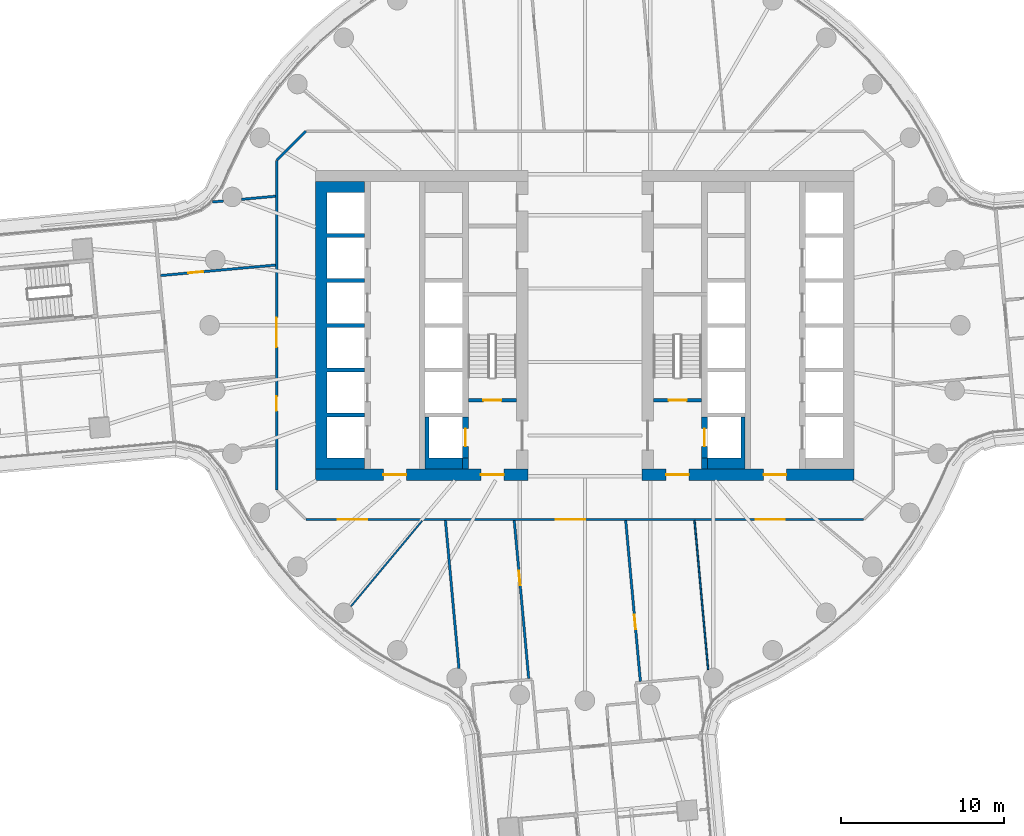
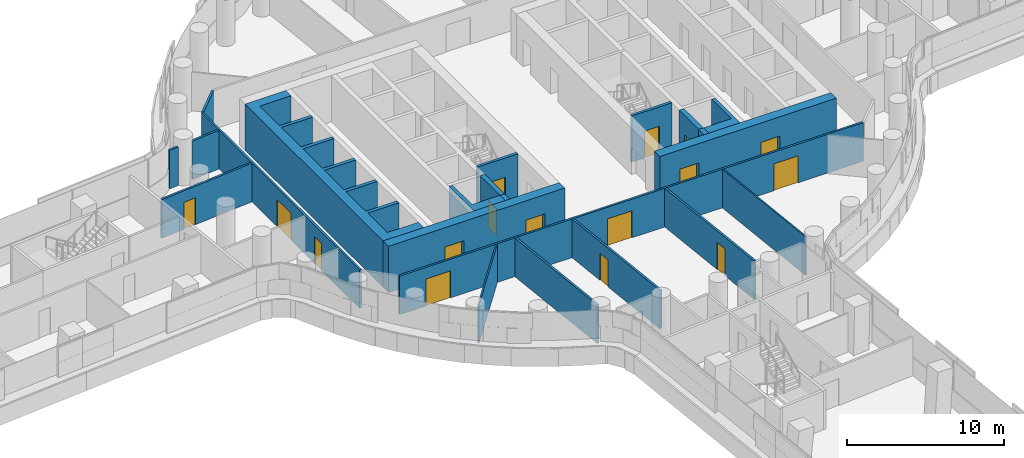
# One storey, part 20 of 31: 22 walls, 16 doors, 16 openings.
"""IFC4 building model written with IfcOpenShell, lengths in metres."""

from ifc_helpers import new_model, si_unit, direction, frame, frame_2d, origin, place, context, subcontext, project, spatial, polyline, rectangle, outline, extrude, material, layer, layer_set, type_object, element, fill, save


model = new_model("IFC4")

# Units and contexts
model_context = context("Model", 3, precision=1e-05, world=origin(), true_north=direction((0.0, 1.0)))
body_context = subcontext(model_context, "Body", "Model", "MODEL_VIEW")
ifc_project = project(units=[si_unit("LENGTHUNIT", "METRE"), si_unit("AREAUNIT", "SQUARE_METRE"), si_unit("VOLUMEUNIT", "CUBIC_METRE"), si_unit("PLANEANGLEUNIT", "RADIAN"), si_unit("MASSUNIT", "GRAM", prefix="KILO")], contexts=[model_context])

# Site, building, storey
site_placement = place(None, origin())
site = spatial("IfcSite", under=ifc_project, at=site_placement, CompositionType="ELEMENT")
building_placement = place(site_placement, origin())
building = spatial("IfcBuilding", under=site, at=building_placement, Name="Tamarind Cross Interchange Tower", CompositionType="ELEMENT")
storey_placement = place(building_placement, frame((0.0, 0.0, 52.75)))
storey = spatial("IfcBuildingStorey", under=building, at=storey_placement, Name="L11", CompositionType="ELEMENT", Elevation=52.75)

# Wall, openings, doors
ifc_material_1 = material(Name="Concrete C80", Category="concrete")
ifc_layer_1 = layer(ifc_material_1, 0.699951171875)
ifc_layer_set_1 = layer_set([ifc_layer_1], Name="Concrete C80")
wall_type_1 = type_object("IfcWallType", Name="Core wall 700 mm Concrete C80", PredefinedType="SHEAR", material=ifc_layer_set_1)
wall_1_placement = place(storey_placement, frame((-16.5, -9.14990234375, 0.0), z_axis=(0.0, 0.0, 1.0), x_axis=(1.0, 0.0, 0.0)))
wall_1 = element("IfcWall", 1, at=wall_1_placement, inside=storey, type_object=wall_type_1, Name="Core wall CWL-L11-W-S", PredefinedType="SHEAR", context=body_context, shape_type="SweptSolid", body=[
    extrude(rectangle(XDim=13.0, YDim=0.699951171875, at=frame_2d((6.5, 0.0))), origin(), (0.0, 0.0, 1.0), 3.610107421875),
])
opening_1_placement = place(wall_1_placement, frame((4.14990234375, 0.0, 0.0)))
opening_1 = element("IfcOpeningElement", 2, at=opening_1_placement, cuts=wall_1, Name="Opening DCW1", PredefinedType="OPENING", context=body_context, shape_type="SweptSolid", body=[
    extrude(rectangle(XDim=1.39990234375, YDim=2.10009765625, at=frame_2d((0.699951171875, 1.050048828125))), frame((0.0, 0.35986328125, 0.0), z_axis=(0.0, -1.0, 0.0), x_axis=(1.0, 0.0, 0.0)), (0.0, 0.0, 1.0), 0.719970703125),
])
opening_2_placement = place(wall_1_placement, frame((10.125, 0.0, 0.0)))
opening_2 = element("IfcOpeningElement", 3, at=opening_2_placement, cuts=wall_1, Name="Opening DCWF", PredefinedType="OPENING", context=body_context, shape_type="SweptSolid", body=[
    extrude(rectangle(XDim=1.39990234375, YDim=2.10009765625, at=frame_2d((0.699951171875, 1.050048828125))), frame((0.0, 0.35986328125, 0.0), z_axis=(0.0, -1.0, 0.0), x_axis=(1.0, 0.0, 0.0)), (0.0, 0.0, 1.0), 0.719970703125),
])
ifc_material_2 = material(Name="Steel, fire-resisting", Category="steel")
door_type_1 = type_object("IfcDoorType", Name="Core fire door 1400 x 2100 FD90", OperationType="SINGLE_SWING_LEFT", PredefinedType="DOOR", material=ifc_material_2)
door_1_placement = place(opening_1_placement, origin())
door_1 = element("IfcDoor", 4, at=door_1_placement, inside=storey, type_object=door_type_1, Name="L11 lift lobby door", OperationType="SINGLE_SWING_LEFT", OverallHeight=2.10009765625, OverallWidth=1.39990234375, PredefinedType="DOOR", context=body_context, shape_type="SweptSolid", body=[
    extrude(rectangle(XDim=1.39990234375, YDim=2.10009765625, at=frame_2d((0.699951171875, 1.050048828125))), frame((0.0, 0.02490234375, 0.0), z_axis=(0.0, -1.0, 0.0), x_axis=(1.0, 0.0, 0.0)), (0.0, 0.0, 1.0), 0.050048828125),
])
fill(opening_1, door_1)
door_2_placement = place(opening_2_placement, origin())
door_2 = element("IfcDoor", 5, at=door_2_placement, inside=storey, type_object=door_type_1, Name="L11 firefighting lobby end door", OperationType="SINGLE_SWING_LEFT", OverallHeight=2.10009765625, OverallWidth=1.39990234375, PredefinedType="DOOR", context=body_context, shape_type="SweptSolid", body=[
    extrude(rectangle(XDim=1.39990234375, YDim=2.10009765625, at=frame_2d((0.699951171875, 1.050048828125))), frame((0.0, 0.02490234375, 0.0), z_axis=(0.0, -1.0, 0.0), x_axis=(1.0, 0.0, 0.0)), (0.0, 0.0, 1.0), 0.050048828125),
])
fill(opening_2, door_2)

# Wall
wall_2_placement = place(storey_placement, origin())
element("IfcWall", 6, at=wall_2_placement, inside=storey, type_object=wall_type_1, Name="Core wall CWL-L11-W-A", PredefinedType="SHEAR", context=body_context, shape_type="SweptSolid", body=[
    extrude(outline(polyline([(-13.5, -8.800048828125), (-13.5, -8.125), (-15.800048828125, -8.125), (-15.800048828125, -5.625), (-13.5, -5.625), (-13.5, -5.375), (-15.800048828125, -5.375), (-15.800048828125, -2.875), (-13.5, -2.875), (-13.5, -2.625), (-15.800048828125, -2.625), (-15.800048828125, -0.125), (-13.5, -0.125), (-13.5, 0.125), (-15.800048828125, 0.125), (-15.800048828125, 2.625), (-13.5, 2.625), (-13.5, 2.875), (-15.800048828125, 2.875), (-15.800048828125, 5.375), (-13.5, 5.375), (-13.5, 5.625), (-15.800048828125, 5.625), (-15.800048828125, 8.125), (-13.5, 8.125), (-13.5, 8.800048828125), (-15.800048828125, 8.800048828125), (-16.5, 8.800048828125), (-16.5, -8.800048828125), (-15.800048828125, -8.800048828125), (-13.5, -8.800048828125)])), origin(), (0.0, 0.0, 1.0), 3.610107421875),
])

# Wall, openings, doors
wall_3_placement = place(storey_placement, frame((16.5, -9.14990234375, 0.0), z_axis=(0.0, 0.0, 1.0), x_axis=(-1.0, 0.0, 0.0)))
wall_3 = element("IfcWall", 7, at=wall_3_placement, inside=storey, type_object=wall_type_1, Name="Core wall CWL-L11-E-S", PredefinedType="SHEAR", context=body_context, shape_type="SweptSolid", body=[
    extrude(rectangle(XDim=13.0, YDim=0.699951171875, at=frame_2d((6.5, 0.0))), origin(), (0.0, 0.0, 1.0), 3.610107421875),
])
opening_3_placement = place(wall_3_placement, frame((4.14990234375, 0.0, 0.0)))
opening_3 = element("IfcOpeningElement", 8, at=opening_3_placement, cuts=wall_3, Name="Opening DCE1", PredefinedType="OPENING", context=body_context, shape_type="SweptSolid", body=[
    extrude(rectangle(XDim=1.39990234375, YDim=2.10009765625, at=frame_2d((0.699951171875, 1.050048828125))), frame((0.0, 0.35986328125, 0.0), z_axis=(0.0, -1.0, 0.0), x_axis=(1.0, 0.0, 0.0)), (0.0, 0.0, 1.0), 0.719970703125),
])
opening_4_placement = place(wall_3_placement, frame((10.125, 0.0, 0.0)))
opening_4 = element("IfcOpeningElement", 9, at=opening_4_placement, cuts=wall_3, Name="Opening DCEF", PredefinedType="OPENING", context=body_context, shape_type="SweptSolid", body=[
    extrude(rectangle(XDim=1.39990234375, YDim=2.10009765625, at=frame_2d((0.699951171875, 1.050048828125))), frame((0.0, 0.35986328125, 0.0), z_axis=(0.0, -1.0, 0.0), x_axis=(1.0, 0.0, 0.0)), (0.0, 0.0, 1.0), 0.719970703125),
])
door_3_placement = place(opening_3_placement, origin())
door_3 = element("IfcDoor", 10, at=door_3_placement, inside=storey, type_object=door_type_1, Name="L11 lift lobby door", OperationType="SINGLE_SWING_LEFT", OverallHeight=2.10009765625, OverallWidth=1.39990234375, PredefinedType="DOOR", context=body_context, shape_type="SweptSolid", body=[
    extrude(rectangle(XDim=1.39990234375, YDim=2.10009765625, at=frame_2d((0.699951171875, 1.050048828125))), frame((0.0, 0.02490234375, 0.0), z_axis=(0.0, -1.0, 0.0), x_axis=(1.0, 0.0, 0.0)), (0.0, 0.0, 1.0), 0.050048828125),
])
fill(opening_3, door_3)
door_4_placement = place(opening_4_placement, origin())
door_4 = element("IfcDoor", 11, at=door_4_placement, inside=storey, type_object=door_type_1, Name="L11 firefighting lobby end door", OperationType="SINGLE_SWING_LEFT", OverallHeight=2.10009765625, OverallWidth=1.39990234375, PredefinedType="DOOR", context=body_context, shape_type="SweptSolid", body=[
    extrude(rectangle(XDim=1.39990234375, YDim=2.10009765625, at=frame_2d((0.699951171875, 1.050048828125))), frame((0.0, 0.02490234375, 0.0), z_axis=(0.0, -1.0, 0.0), x_axis=(1.0, 0.0, 0.0)), (0.0, 0.0, 1.0), 0.050048828125),
])
fill(opening_4, door_4)

# Walls
ifc_layer_2 = layer(ifc_material_1, 0.35009765625)
ifc_layer_set_2 = layer_set([ifc_layer_2], Name="Concrete C80")
wall_type_2 = type_object("IfcWallType", Name="Core web wall 350 mm Concrete C80", PredefinedType="SHEAR", material=ifc_layer_set_2)
wall_4_placement = place(storey_placement, origin())
element("IfcWall", 12, at=wall_4_placement, inside=storey, type_object=wall_type_2, Name="Core wall CWL-L11-W-BS", PredefinedType="SHEAR", context=body_context, shape_type="SweptSolid", body=[
    extrude(outline(polyline([(-7.5, -8.125), (-9.550048828125, -8.125), (-9.550048828125, -5.625), (-9.800048828125, -5.625), (-9.800048828125, -8.125), (-9.800048828125, -8.800048828125), (-7.5, -8.800048828125), (-7.5, -8.125)])), origin(), (0.0, 0.0, 1.0), 3.610107421875),
])
wall_5_placement = place(storey_placement, frame((-7.324951171875, -8.800048828125, 0.0), z_axis=(0.0, 0.0, 1.0), x_axis=(0.0, 1.0, 0.0)))
element("IfcWall", 13, at=wall_5_placement, inside=storey, type_object=wall_type_2, Name="Core wall CWL-L11-W-BW", PredefinedType="SHEAR", context=body_context, shape_type="SweptSolid", body=[
    extrude(rectangle(XDim=0.675048828125, YDim=0.35009765625, at=frame_2d((0.33740234375, 0.0))), origin(), (0.0, 0.0, 1.0), 3.610107421875),
])

# Wall, opening, door
wall_6_placement = place(storey_placement, frame((-7.324951171875, -8.125, 0.0), z_axis=(0.0, 0.0, 1.0), x_axis=(0.0, 1.0, 0.0)))
wall_6 = element("IfcWall", 14, at=wall_6_placement, inside=storey, type_object=wall_type_2, Name="Core wall CWL-L11-W-FF", PredefinedType="SHEAR", context=body_context, shape_type="SweptSolid", body=[
    extrude(rectangle(XDim=2.5, YDim=0.35009765625, at=frame_2d((1.25, 0.0))), origin(), (0.0, 0.0, 1.0), 3.610107421875),
])
opening_5_placement = place(wall_6_placement, frame((0.699951171875, 0.0, 0.0)))
opening_5 = element("IfcOpeningElement", 15, at=opening_5_placement, cuts=wall_6, Name="Opening LD7L11", PredefinedType="OPENING", context=body_context, shape_type="SweptSolid", body=[
    extrude(rectangle(XDim=1.10009765625, YDim=2.10009765625, at=frame_2d((0.550048828125, 1.050048828125))), frame((0.0, 0.18505859375, 0.0), z_axis=(0.0, -1.0, 0.0), x_axis=(1.0, 0.0, 0.0)), (0.0, 0.0, 1.0), 0.3701171875),
])
ifc_material_3 = material(Name="Stainless steel panel", Category="steel")
door_type_2 = type_object("IfcDoorType", Name="Lift landing door 1100 x 2100 E 120", OperationType="SLIDING_TO_LEFT", PredefinedType="DOOR", material=ifc_material_3)
door_5_placement = place(opening_5_placement, origin())
door_5 = element("IfcDoor", 16, at=door_5_placement, inside=storey, type_object=door_type_2, Name="L11 landing door LF7", OperationType="SLIDING_TO_LEFT", OverallHeight=2.10009765625, OverallWidth=1.10009765625, PredefinedType="DOOR", context=body_context, shape_type="SweptSolid", body=[
    extrude(rectangle(XDim=1.10009765625, YDim=2.10009765625, at=frame_2d((0.550048828125, 1.050048828125))), frame((0.0, 0.02490234375, 0.0), z_axis=(0.0, -1.0, 0.0), x_axis=(1.0, 0.0, 0.0)), (0.0, 0.0, 1.0), 0.050048828125),
])
fill(opening_5, door_5)

# Walls
wall_7_placement = place(storey_placement, origin())
element("IfcWall", 17, at=wall_7_placement, inside=storey, type_object=wall_type_2, Name="Core wall CWL-L11-E-BS", PredefinedType="SHEAR", context=body_context, shape_type="SweptSolid", body=[
    extrude(outline(polyline([(7.5, -8.125), (7.5, -8.800048828125), (9.800048828125, -8.800048828125), (9.800048828125, -8.125), (9.800048828125, -5.625), (9.550048828125, -5.625), (9.550048828125, -8.125), (7.5, -8.125)])), origin(), (0.0, 0.0, 1.0), 3.610107421875),
])
wall_8_placement = place(storey_placement, frame((7.324951171875, -8.800048828125, 0.0), z_axis=(0.0, 0.0, 1.0), x_axis=(0.0, 1.0, 0.0)))
element("IfcWall", 18, at=wall_8_placement, inside=storey, type_object=wall_type_2, Name="Core wall CWL-L11-E-BW", PredefinedType="SHEAR", context=body_context, shape_type="SweptSolid", body=[
    extrude(rectangle(XDim=0.675048828125, YDim=0.35009765625, at=frame_2d((0.33740234375, 0.0))), origin(), (0.0, 0.0, 1.0), 3.610107421875),
])

# Wall, opening, door
wall_9_placement = place(storey_placement, frame((7.324951171875, -8.125, 0.0), z_axis=(0.0, 0.0, 1.0), x_axis=(0.0, 1.0, 0.0)))
wall_9 = element("IfcWall", 19, at=wall_9_placement, inside=storey, type_object=wall_type_2, Name="Core wall CWL-L11-E-FF", PredefinedType="SHEAR", context=body_context, shape_type="SweptSolid", body=[
    extrude(rectangle(XDim=2.5, YDim=0.35009765625, at=frame_2d((1.25, 0.0))), origin(), (0.0, 0.0, 1.0), 3.610107421875),
])
opening_6_placement = place(wall_9_placement, frame((0.699951171875, 0.0, 0.0)))
opening_6 = element("IfcOpeningElement", 20, at=opening_6_placement, cuts=wall_9, Name="Opening LD19L11", PredefinedType="OPENING", context=body_context, shape_type="SweptSolid", body=[
    extrude(rectangle(XDim=1.10009765625, YDim=2.10009765625, at=frame_2d((0.550048828125, 1.050048828125))), frame((0.0, 0.18505859375, 0.0), z_axis=(0.0, -1.0, 0.0), x_axis=(1.0, 0.0, 0.0)), (0.0, 0.0, 1.0), 0.3701171875),
])
door_6_placement = place(opening_6_placement, origin())
door_6 = element("IfcDoor", 21, at=door_6_placement, inside=storey, type_object=door_type_2, Name="L11 landing door LF19", OperationType="SLIDING_TO_LEFT", OverallHeight=2.10009765625, OverallWidth=1.10009765625, PredefinedType="DOOR", context=body_context, shape_type="SweptSolid", body=[
    extrude(rectangle(XDim=1.10009765625, YDim=2.10009765625, at=frame_2d((0.550048828125, 1.050048828125))), frame((0.0, 0.02490234375, 0.0), z_axis=(0.0, -1.0, 0.0), x_axis=(1.0, 0.0, 0.0)), (0.0, 0.0, 1.0), 0.050048828125),
])
fill(opening_6, door_6)

# Walls
ifc_material_4 = material(Name="Gypsum board partition on steel studs", Category="steel")
ifc_layer_3 = layer(ifc_material_4, 0.10009765625)
ifc_layer_set_3 = layer_set([ifc_layer_3], Name="Gypsum board partition on steel studs")
wall_type_3 = type_object("IfcWallType", Name="Partition 100 mm EI 90", PredefinedType="PARTITIONING", material=ifc_layer_set_3)
wall_10_placement = place(storey_placement, frame((6.71337890625, -11.959716796875, 0.0), z_axis=(0.0, 0.0, 1.0), x_axis=(0.091135520653, -0.995838499394, 0.0)))
element("IfcWall", 22, at=wall_10_placement, inside=storey, type_object=wall_type_3, Name="Partition L11-021", PredefinedType="PARTITIONING", context=body_context, shape_type="SweptSolid", body=[
    extrude(rectangle(XDim=9.175048828125, YDim=0.10009765625, at=frame_2d((4.58740234375, 0.0))), origin(), (0.0, 0.0, 1.0), 3.010009765625),
])
wall_11_placement = place(storey_placement, frame((-14.341552734375, -17.228515625, 0.0), z_axis=(0.0, 0.0, 1.0), x_axis=(0.639768706711, 0.768567499907, 0.0)))
element("IfcWall", 23, at=wall_11_placement, inside=storey, type_object=wall_type_3, Name="Partition L11-073", PredefinedType="PARTITIONING", context=body_context, shape_type="SweptSolid", body=[
    extrude(rectangle(XDim=6.818115234375, YDim=0.10009765625, at=frame_2d((3.4091796875, 0.0))), origin(), (0.0, 0.0, 1.0), 3.010009765625),
])
ifc_layer_4 = layer(ifc_material_4, 0.14990234375)
ifc_layer_set_4 = layer_set([ifc_layer_4], Name="Gypsum board partition on steel studs")
wall_type_4 = type_object("IfcWallType", Name="Partition 150 mm EI 120", PredefinedType="PARTITIONING", material=ifc_layer_set_4)
wall_12_placement = place(storey_placement, frame((-8.549072265625, -11.964599609375, 0.0), z_axis=(0.0, 0.0, 1.0), x_axis=(0.091086304245, -0.995843002274, 0.0)))
element("IfcWall", 24, at=wall_12_placement, inside=storey, type_object=wall_type_4, Name="Partition L11-006", PredefinedType="PARTITIONING", context=body_context, shape_type="SweptSolid", body=[
    extrude(rectangle(XDim=9.11572265625, YDim=0.14990234375, at=frame_2d((4.557861328125, 0.0))), origin(), (0.0, 0.0, 1.0), 3.010009765625),
])

# Wall, opening, door
wall_13_placement = place(storey_placement, frame((-4.33203125, -11.964599609375, 0.0), z_axis=(0.0, 0.0, 1.0), x_axis=(0.091142776654, -0.995837835325, 0.0)))
wall_13 = element("IfcWall", 25, at=wall_13_placement, inside=storey, type_object=wall_type_4, Name="Partition L11-009", PredefinedType="PARTITIONING", context=body_context, shape_type="SweptSolid", body=[
    extrude(rectangle(XDim=9.71826171875, YDim=0.14990234375, at=frame_2d((4.859130859375, 0.0))), origin(), (0.0, 0.0, 1.0), 3.010009765625),
])
opening_7_placement = place(wall_13_placement, frame((3.0849609375, 0.0, 0.0)))
opening_7 = element("IfcOpeningElement", 26, at=opening_7_placement, cuts=wall_13, Name="Opening D03", PredefinedType="OPENING", context=body_context, shape_type="SweptSolid", body=[
    extrude(rectangle(XDim=0.89990234375, YDim=2.10009765625, at=frame_2d((0.449951171875, 1.050048828125))), frame((0.0, 0.0849609375, 0.0), z_axis=(0.0, -1.0, 0.0), x_axis=(1.0, 0.0, 0.0)), (0.0, 0.0, 1.0), 0.169921875),
])
ifc_material_5 = material(Name="Fire-resisting door set")
door_type_3 = type_object("IfcDoorType", Name="Interior door 900 x 2100 FD60S", OperationType="SINGLE_SWING_LEFT", PredefinedType="DOOR", material=ifc_material_5)
door_7_placement = place(opening_7_placement, frame((0.89990234375, 0.0, 0.0), z_axis=(0.0, 0.0, 1.0), x_axis=(-1.0, 0.0, 0.0)))
door_7 = element("IfcDoor", 27, at=door_7_placement, inside=storey, type_object=door_type_3, Name="Door D03", OperationType="SINGLE_SWING_LEFT", OverallHeight=2.10009765625, OverallWidth=0.89990234375, PredefinedType="DOOR", context=body_context, shape_type="SweptSolid", body=[
    extrude(rectangle(XDim=0.89990234375, YDim=2.10009765625, at=frame_2d((0.449951171875, 1.050048828125))), frame((0.0, 0.02490234375, 0.0), z_axis=(0.0, -1.0, 0.0), x_axis=(1.0, 0.0, 0.0)), (0.0, 0.0, 1.0), 0.050048828125),
])
fill(opening_7, door_7)

wall_14_placement = place(storey_placement, frame((2.496826171875, -11.964599609375, 0.0), z_axis=(0.0, 0.0, 1.0), x_axis=(0.091027288031, -0.995848398519, 0.0)))
wall_14 = element("IfcWall", 28, at=wall_14_placement, inside=storey, type_object=wall_type_4, Name="Partition L11-018", PredefinedType="PARTITIONING", context=body_context, shape_type="SweptSolid", body=[
    extrude(rectangle(XDim=9.896728515625, YDim=0.14990234375, at=frame_2d((4.9482421875, 0.0))), origin(), (0.0, 0.0, 1.0), 3.010009765625),
])
opening_8_placement = place(wall_14_placement, frame((5.784912109375, 0.0, 0.0)))
opening_8 = element("IfcOpeningElement", 29, at=opening_8_placement, cuts=wall_14, Name="Opening D13", PredefinedType="OPENING", context=body_context, shape_type="SweptSolid", body=[
    extrude(rectangle(XDim=0.89990234375, YDim=2.10009765625, at=frame_2d((0.449951171875, 1.050048828125))), frame((0.0, 0.0849609375, 0.0), z_axis=(0.0, -1.0, 0.0), x_axis=(1.0, 0.0, 0.0)), (0.0, 0.0, 1.0), 0.169921875),
])
door_8_placement = place(opening_8_placement, origin())
door_8 = element("IfcDoor", 30, at=door_8_placement, inside=storey, type_object=door_type_3, Name="Door D13", OperationType="SINGLE_SWING_LEFT", OverallHeight=2.10009765625, OverallWidth=0.89990234375, PredefinedType="DOOR", context=body_context, shape_type="SweptSolid", body=[
    extrude(rectangle(XDim=0.89990234375, YDim=2.10009765625, at=frame_2d((0.449951171875, 1.050048828125))), frame((0.0, 0.02490234375, 0.0), z_axis=(0.0, -1.0, 0.0), x_axis=(1.0, 0.0, 0.0)), (0.0, 0.0, 1.0), 0.050048828125),
])
fill(opening_8, door_8)

# Wall, openings, doors
wall_15_placement = place(storey_placement, frame((-17.10009765625, -11.89990234375, 0.0), z_axis=(0.0, 0.0, 1.0), x_axis=(1.0, 0.0, 0.0)))
wall_15 = element("IfcWall", 31, at=wall_15_placement, inside=storey, type_object=wall_type_4, Name="Partition L11-035", PredefinedType="PARTITIONING", context=body_context, shape_type="SweptSolid", body=[
    extrude(rectangle(XDim=34.1650390625, YDim=0.14990234375, at=frame_2d((17.08251953125, 0.0))), origin(), (0.0, 0.0, 1.0), 3.010009765625),
])
opening_9_placement = place(wall_15_placement, frame((15.31201171875, 0.0, 0.0)))
opening_9 = element("IfcOpeningElement", 32, at=opening_9_placement, cuts=wall_15, Name="Opening D17", PredefinedType="OPENING", context=body_context, shape_type="SweptSolid", body=[
    extrude(rectangle(XDim=1.800048828125, YDim=2.10009765625, at=frame_2d((0.89990234375, 1.050048828125))), frame((0.0, 0.0849609375, 0.0), z_axis=(0.0, -1.0, 0.0), x_axis=(1.0, 0.0, 0.0)), (0.0, 0.0, 1.0), 0.169921875),
])
opening_10_placement = place(wall_15_placement, frame((1.949951171875, 0.0, 0.0)))
opening_10 = element("IfcOpeningElement", 33, at=opening_10_placement, cuts=wall_15, Name="Opening D18", PredefinedType="OPENING", context=body_context, shape_type="SweptSolid", body=[
    extrude(rectangle(XDim=1.800048828125, YDim=2.10009765625, at=frame_2d((0.89990234375, 1.050048828125))), frame((0.0, 0.0849609375, 0.0), z_axis=(0.0, -1.0, 0.0), x_axis=(1.0, 0.0, 0.0)), (0.0, 0.0, 1.0), 0.169921875),
])
opening_11_placement = place(wall_15_placement, frame((27.55810546875, 0.0, 0.0)))
opening_11 = element("IfcOpeningElement", 34, at=opening_11_placement, cuts=wall_15, Name="Opening D19", PredefinedType="OPENING", context=body_context, shape_type="SweptSolid", body=[
    extrude(rectangle(XDim=1.800048828125, YDim=2.10009765625, at=frame_2d((0.89990234375, 1.050048828125))), frame((0.0, 0.0849609375, 0.0), z_axis=(0.0, -1.0, 0.0), x_axis=(1.0, 0.0, 0.0)), (0.0, 0.0, 1.0), 0.169921875),
])
door_type_4 = type_object("IfcDoorType", Name="Interior door 1800 x 2100 FD60S", OperationType="DOUBLE_DOOR_SINGLE_SWING", PredefinedType="DOOR", material=ifc_material_5)
door_9_placement = place(opening_9_placement, origin())
door_9 = element("IfcDoor", 35, at=door_9_placement, inside=storey, type_object=door_type_4, Name="Door D17", OperationType="DOUBLE_DOOR_SINGLE_SWING", OverallHeight=2.10009765625, OverallWidth=1.800048828125, PredefinedType="DOOR", context=body_context, shape_type="SweptSolid", body=[
    extrude(rectangle(XDim=1.800048828125, YDim=2.10009765625, at=frame_2d((0.89990234375, 1.050048828125))), frame((0.0, 0.02490234375, 0.0), z_axis=(0.0, -1.0, 0.0), x_axis=(1.0, 0.0, 0.0)), (0.0, 0.0, 1.0), 0.050048828125),
])
fill(opening_9, door_9)
door_10_placement = place(opening_10_placement, frame((1.800048828125, 0.0, 0.0), z_axis=(0.0, 0.0, 1.0), x_axis=(-1.0, 0.0, 0.0)))
door_10 = element("IfcDoor", 36, at=door_10_placement, inside=storey, type_object=door_type_4, Name="Door D18", OperationType="DOUBLE_DOOR_SINGLE_SWING", OverallHeight=2.10009765625, OverallWidth=1.800048828125, PredefinedType="DOOR", context=body_context, shape_type="SweptSolid", body=[
    extrude(rectangle(XDim=1.800048828125, YDim=2.10009765625, at=frame_2d((0.89990234375, 1.050048828125))), frame((0.0, 0.02490234375, 0.0), z_axis=(0.0, -1.0, 0.0), x_axis=(1.0, 0.0, 0.0)), (0.0, 0.0, 1.0), 0.050048828125),
])
fill(opening_10, door_10)
door_11_placement = place(opening_11_placement, frame((1.800048828125, 0.0, 0.0), z_axis=(0.0, 0.0, 1.0), x_axis=(-1.0, 0.0, 0.0)))
door_11 = element("IfcDoor", 37, at=door_11_placement, inside=storey, type_object=door_type_4, Name="Door D19", OperationType="DOUBLE_DOOR_SINGLE_SWING", OverallHeight=2.10009765625, OverallWidth=1.800048828125, PredefinedType="DOOR", context=body_context, shape_type="SweptSolid", body=[
    extrude(rectangle(XDim=1.800048828125, YDim=2.10009765625, at=frame_2d((0.89990234375, 1.050048828125))), frame((0.0, 0.02490234375, 0.0), z_axis=(0.0, -1.0, 0.0), x_axis=(1.0, 0.0, 0.0)), (0.0, 0.0, 1.0), 0.050048828125),
])
fill(opening_11, door_11)

# Wall, opening, door
wall_16_placement = place(storey_placement, frame((-25.99951171875, 3.048583984375, 0.0), z_axis=(0.0, 0.0, 1.0), x_axis=(0.995841773556, 0.091099736772, 0.0)))
wall_16 = element("IfcWall", 38, at=wall_16_placement, inside=storey, type_object=wall_type_4, Name="Partition L11-040", PredefinedType="PARTITIONING", context=body_context, shape_type="SweptSolid", body=[
    extrude(rectangle(XDim=7.064208984375, YDim=0.14990234375, at=frame_2d((3.5322265625, 0.0))), origin(), (0.0, 0.0, 1.0), 3.010009765625),
])
opening_12_placement = place(wall_16_placement, frame((1.705078125, 0.0, 0.0)))
opening_12 = element("IfcOpeningElement", 39, at=opening_12_placement, cuts=wall_16, Name="Opening D26", PredefinedType="OPENING", context=body_context, shape_type="SweptSolid", body=[
    extrude(rectangle(XDim=0.89990234375, YDim=2.10009765625, at=frame_2d((0.449951171875, 1.050048828125))), frame((0.0, 0.0849609375, 0.0), z_axis=(0.0, -1.0, 0.0), x_axis=(1.0, 0.0, 0.0)), (0.0, 0.0, 1.0), 0.169921875),
])
door_12_placement = place(opening_12_placement, origin())
door_12 = element("IfcDoor", 40, at=door_12_placement, inside=storey, type_object=door_type_3, Name="Door D26", OperationType="SINGLE_SWING_RIGHT", OverallHeight=2.10009765625, OverallWidth=0.89990234375, PredefinedType="DOOR", context=body_context, shape_type="SweptSolid", body=[
    extrude(rectangle(XDim=0.89990234375, YDim=2.10009765625, at=frame_2d((0.449951171875, 1.050048828125))), frame((0.0, 0.02490234375, 0.0), z_axis=(0.0, -1.0, 0.0), x_axis=(1.0, 0.0, 0.0)), (0.0, 0.0, 1.0), 0.050048828125),
])
fill(opening_12, door_12)

# Walls
wall_17_placement = place(storey_placement, frame((-22.822021484375, 7.55615234375, 0.0), z_axis=(0.0, 0.0, 1.0), x_axis=(0.995860226183, 0.090897799237, 0.0)))
element("IfcWall", 41, at=wall_17_placement, inside=storey, type_object=wall_type_4, Name="Partition L11-045", PredefinedType="PARTITIONING", context=body_context, shape_type="SweptSolid", body=[
    extrude(rectangle(XDim=0.668701171875, YDim=0.14990234375, at=frame_2d((0.33447265625, 0.0))), origin(), (0.0, 0.0, 1.0), 3.010009765625),
])
wall_18_placement = place(storey_placement, frame((-21.04248046875, 7.718994140625, 0.0), z_axis=(0.0, 0.0, 1.0), x_axis=(0.995837392729, 0.091147612376, 0.0)))
element("IfcWall", 42, at=wall_18_placement, inside=storey, type_object=wall_type_4, Name="Partition L11-046", PredefinedType="PARTITIONING", context=body_context, shape_type="SweptSolid", body=[
    extrude(rectangle(XDim=2.086669921875, YDim=0.14990234375, at=frame_2d((1.04345703125, 0.0))), origin(), (0.0, 0.0, 1.0), 3.010009765625),
])
wall_19_placement = place(storey_placement, frame((-18.87158203125, 10.12841796875, 0.0), z_axis=(0.0, 0.0, 1.0), x_axis=(0.707106781187, 0.707106781187, 0.0)))
element("IfcWall", 43, at=wall_19_placement, inside=storey, type_object=wall_type_4, Name="Partition L11-071", PredefinedType="PARTITIONING", context=body_context, shape_type="SweptSolid", body=[
    extrude(rectangle(XDim=2.50537109375, YDim=0.14990234375, at=frame_2d((1.252685546875, 0.0))), origin(), (0.0, 0.0, 1.0), 3.010009765625),
])

# Wall, openings, doors
wall_20_placement = place(storey_placement, frame((-18.89990234375, -10.10009765625, 0.0), z_axis=(0.0, 0.0, 1.0), x_axis=(0.0, 1.0, 0.0)))
wall_20 = element("IfcWall", 44, at=wall_20_placement, inside=storey, type_object=wall_type_4, Name="Partition L11-075", PredefinedType="PARTITIONING", context=body_context, shape_type="SweptSolid", body=[
    extrude(rectangle(XDim=20.2001953125, YDim=0.14990234375, at=frame_2d((10.10009765625, 0.0))), origin(), (0.0, 0.0, 1.0), 3.010009765625),
])
opening_13_placement = place(wall_20_placement, frame((8.76904296875, 0.0, 0.0)))
opening_13 = element("IfcOpeningElement", 45, at=opening_13_placement, cuts=wall_20, Name="Opening D38", PredefinedType="OPENING", context=body_context, shape_type="SweptSolid", body=[
    extrude(rectangle(XDim=1.800048828125, YDim=2.10009765625, at=frame_2d((0.89990234375, 1.050048828125))), frame((0.0, 0.0849609375, 0.0), z_axis=(0.0, -1.0, 0.0), x_axis=(1.0, 0.0, 0.0)), (0.0, 0.0, 1.0), 0.169921875),
])
opening_14_placement = place(wall_20_placement, frame((4.85205078125, 0.0, 0.0)))
opening_14 = element("IfcOpeningElement", 46, at=opening_14_placement, cuts=wall_20, Name="Opening D39", PredefinedType="OPENING", context=body_context, shape_type="SweptSolid", body=[
    extrude(rectangle(XDim=0.89990234375, YDim=2.10009765625, at=frame_2d((0.449951171875, 1.050048828125))), frame((0.0, 0.0849609375, 0.0), z_axis=(0.0, -1.0, 0.0), x_axis=(1.0, 0.0, 0.0)), (0.0, 0.0, 1.0), 0.169921875),
])
door_13_placement = place(opening_13_placement, frame((1.800048828125, 0.0, 0.0), z_axis=(0.0, 0.0, 1.0), x_axis=(-1.0, 0.0, 0.0)))
door_13 = element("IfcDoor", 47, at=door_13_placement, inside=storey, type_object=door_type_4, Name="Door D38", OperationType="DOUBLE_DOOR_SINGLE_SWING", OverallHeight=2.10009765625, OverallWidth=1.800048828125, PredefinedType="DOOR", context=body_context, shape_type="SweptSolid", body=[
    extrude(rectangle(XDim=1.800048828125, YDim=2.10009765625, at=frame_2d((0.89990234375, 1.050048828125))), frame((0.0, 0.02490234375, 0.0), z_axis=(0.0, -1.0, 0.0), x_axis=(1.0, 0.0, 0.0)), (0.0, 0.0, 1.0), 0.050048828125),
])
fill(opening_13, door_13)
door_14_placement = place(opening_14_placement, origin())
door_14 = element("IfcDoor", 48, at=door_14_placement, inside=storey, type_object=door_type_3, Name="Door D39", OperationType="SINGLE_SWING_RIGHT", OverallHeight=2.10009765625, OverallWidth=0.89990234375, PredefinedType="DOOR", context=body_context, shape_type="SweptSolid", body=[
    extrude(rectangle(XDim=0.89990234375, YDim=2.10009765625, at=frame_2d((0.449951171875, 1.050048828125))), frame((0.0, 0.02490234375, 0.0), z_axis=(0.0, -1.0, 0.0), x_axis=(1.0, 0.0, 0.0)), (0.0, 0.0, 1.0), 0.050048828125),
])
fill(opening_14, door_14)

# Wall, opening, door
ifc_material_6 = material(Name="Concrete C40", Category="concrete")
ifc_layer_5 = layer(ifc_material_6, 0.199951171875)
ifc_layer_set_5 = layer_set([ifc_layer_5], Name="Concrete C40")
wall_type_5 = type_object("IfcWallType", Name="Stair shaft wall 200 mm Concrete C40", PredefinedType="SHEAR", material=ifc_layer_set_5)
wall_21_placement = place(storey_placement, frame((-7.14990234375, -4.60009765625, 0.0), z_axis=(0.0, 0.0, 1.0), x_axis=(1.0, 0.0, 0.0)))
wall_21 = element("IfcWall", 49, at=wall_21_placement, inside=storey, type_object=wall_type_5, Name="Core wall CWL-L11-W-SD", PredefinedType="SHEAR", context=body_context, shape_type="SweptSolid", body=[
    extrude(rectangle(XDim=2.949951171875, YDim=0.199951171875, at=frame_2d((1.47509765625, 0.0))), origin(), (0.0, 0.0, 1.0), 3.610107421875),
])
opening_15_placement = place(wall_21_placement, frame((0.925048828125, 0.0, 0.0)))
opening_15 = element("IfcOpeningElement", 50, at=opening_15_placement, cuts=wall_21, Name="Opening DCW6", PredefinedType="OPENING", context=body_context, shape_type="SweptSolid", body=[
    extrude(rectangle(XDim=1.10009765625, YDim=2.10009765625, at=frame_2d((0.550048828125, 1.050048828125))), frame((0.0, 0.10986328125, 0.0), z_axis=(0.0, -1.0, 0.0), x_axis=(1.0, 0.0, 0.0)), (0.0, 0.0, 1.0), 0.219970703125),
])
door_type_5 = type_object("IfcDoorType", Name="Core fire door 1100 x 2100 FD90", OperationType="SINGLE_SWING_LEFT", PredefinedType="DOOR", material=ifc_material_2)
door_15_placement = place(opening_15_placement, origin())
door_15 = element("IfcDoor", 51, at=door_15_placement, inside=storey, type_object=door_type_5, Name="L11 stair door", OperationType="SINGLE_SWING_LEFT", OverallHeight=2.10009765625, OverallWidth=1.10009765625, PredefinedType="DOOR", context=body_context, shape_type="SweptSolid", body=[
    extrude(rectangle(XDim=1.10009765625, YDim=2.10009765625, at=frame_2d((0.550048828125, 1.050048828125))), frame((0.0, 0.02490234375, 0.0), z_axis=(0.0, -1.0, 0.0), x_axis=(1.0, 0.0, 0.0)), (0.0, 0.0, 1.0), 0.050048828125),
])
fill(opening_15, door_15)

wall_22_placement = place(storey_placement, frame((7.14990234375, -4.60009765625, 0.0), z_axis=(0.0, 0.0, 1.0), x_axis=(-1.0, 0.0, 0.0)))
wall_22 = element("IfcWall", 52, at=wall_22_placement, inside=storey, type_object=wall_type_5, Name="Core wall CWL-L11-E-SD", PredefinedType="SHEAR", context=body_context, shape_type="SweptSolid", body=[
    extrude(rectangle(XDim=2.949951171875, YDim=0.199951171875, at=frame_2d((1.47509765625, 0.0))), origin(), (0.0, 0.0, 1.0), 3.610107421875),
])
opening_16_placement = place(wall_22_placement, frame((0.925048828125, 0.0, 0.0)))
opening_16 = element("IfcOpeningElement", 53, at=opening_16_placement, cuts=wall_22, Name="Opening DCE6", PredefinedType="OPENING", context=body_context, shape_type="SweptSolid", body=[
    extrude(rectangle(XDim=1.10009765625, YDim=2.10009765625, at=frame_2d((0.550048828125, 1.050048828125))), frame((0.0, 0.10986328125, 0.0), z_axis=(0.0, -1.0, 0.0), x_axis=(1.0, 0.0, 0.0)), (0.0, 0.0, 1.0), 0.219970703125),
])
door_16_placement = place(opening_16_placement, origin())
door_16 = element("IfcDoor", 54, at=door_16_placement, inside=storey, type_object=door_type_5, Name="L11 stair door", OperationType="SINGLE_SWING_LEFT", OverallHeight=2.10009765625, OverallWidth=1.10009765625, PredefinedType="DOOR", context=body_context, shape_type="SweptSolid", body=[
    extrude(rectangle(XDim=1.10009765625, YDim=2.10009765625, at=frame_2d((0.550048828125, 1.050048828125))), frame((0.0, 0.02490234375, 0.0), z_axis=(0.0, -1.0, 0.0), x_axis=(1.0, 0.0, 0.0)), (0.0, 0.0, 1.0), 0.050048828125),
])
fill(opening_16, door_16)

save(model, "model.ifc")
